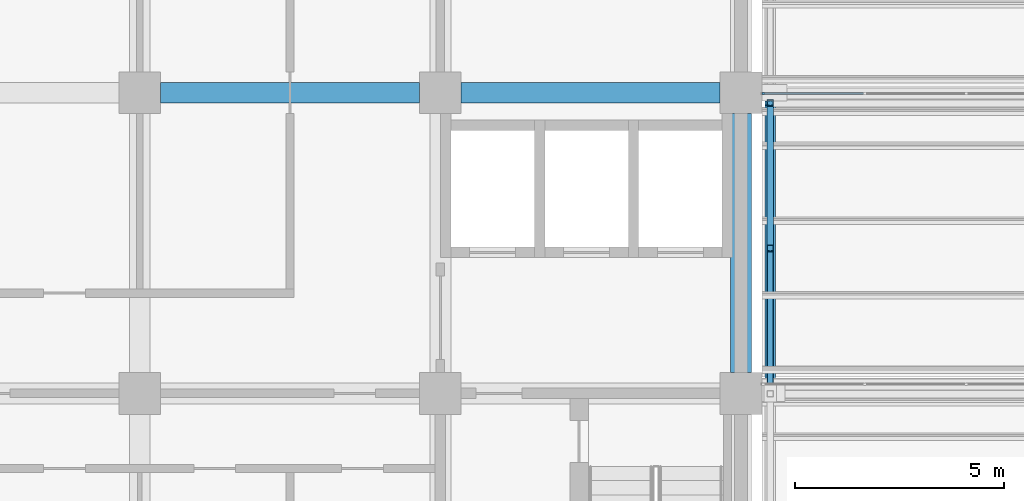
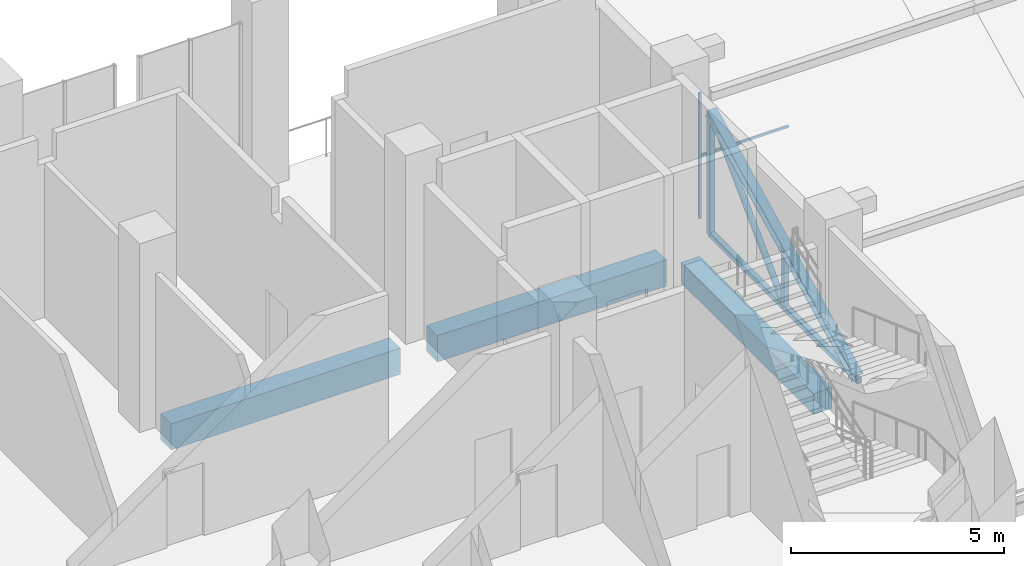
# One storey, part 3 of 83: 7 members, 3 beams, 1 element without a shape of its own.
"""IFC4 building model written with IfcOpenShell, lengths in metres."""

from ifc_helpers import new_model, si_unit, direction, frame, origin, origin_2d, place, context, subcontext, project, spatial, rectangle, hollow_rectangle, hollow_circle, i_section, extrude, material, material_profile, profile_set, type_object, element, aggregate, save


model = new_model("IFC4")

# Units and contexts
model_context = context("Model", 3, precision=1e-05, world=origin(), true_north=direction((0.0, 1.0)))
body_context = subcontext(model_context, "Body", "Model", "MODEL_VIEW")
ifc_project = project(units=[si_unit("LENGTHUNIT", "METRE"), si_unit("AREAUNIT", "SQUARE_METRE"), si_unit("VOLUMEUNIT", "CUBIC_METRE"), si_unit("PLANEANGLEUNIT", "RADIAN"), si_unit("MASSUNIT", "GRAM", prefix="KILO")], contexts=[model_context])

# Site, building, storey
site_placement = place(None, origin())
site = spatial("IfcSite", under=ifc_project, at=site_placement, CompositionType="ELEMENT")
building_placement = place(site_placement, origin())
building = spatial("IfcBuilding", under=site, at=building_placement, Name="Silangan Lancet Faculty of Sciences", CompositionType="ELEMENT")
storey_placement = place(building_placement, frame((0.0, 0.0, 11.39990234375)))
storey = spatial("IfcBuildingStorey", under=building, at=storey_placement, Name="L02", CompositionType="ELEMENT", Elevation=11.39990234375)

# Beams
ifc_material_1 = material(Name="Concrete C40/50", Category="concrete")
ifc_material_profile_1 = material_profile(ifc_material_1, rectangle(XDim=0.5, YDim=0.60009765625, at=origin_2d()), Name="RC 500x600")
ifc_profile_set_1 = profile_set([ifc_material_profile_1], Name="Concrete C40/50")
beam_type_1 = type_object("IfcBeamType", Name="BEAM RC 500x600", PredefinedType="BEAM", material=ifc_profile_set_1)
beam_1_placement = place(storey_placement, frame((28.800048828125, 7.699951171875, -0.5498046875), z_axis=(0.0, 1.0, 0.0), x_axis=(-1.0, 0.0, 0.0)))
element("IfcBeam", 1, at=beam_1_placement, inside=storey, type_object=beam_type_1, Name="BM-L02-5B-5C", PredefinedType="BEAM", context=body_context, shape_type="SweptSolid", body=[
    extrude(rectangle(XDim=0.5, YDim=0.60009765625, at=origin_2d()), origin(), (0.0, 0.0, 1.0), 6.199951171875),
])
ifc_material_2 = material(Name="Concrete C40/50", Category="concrete")
ifc_material_profile_2 = material_profile(ifc_material_2, rectangle(XDim=0.5, YDim=0.75, at=origin_2d()), Name="RC 500x750")
ifc_profile_set_2 = profile_set([ifc_material_profile_2], Name="Concrete C40/50")
beam_type_2 = type_object("IfcBeamType", Name="BEAM RC 500x750", PredefinedType="BEAM", material=ifc_profile_set_2)
beam_2_placement = place(storey_placement, frame((14.89990234375, 14.39990234375, -0.625), z_axis=(1.0, 0.0, 0.0), x_axis=(0.0, 1.0, 0.0)))
element("IfcBeam", 2, at=beam_2_placement, inside=storey, type_object=beam_type_2, Name="BM-L02-3C-4C", PredefinedType="BEAM", context=body_context, shape_type="SweptSolid", body=[
    extrude(rectangle(XDim=0.5, YDim=0.75, at=origin_2d()), origin(), (0.0, 0.0, 1.0), 6.2001953125),
])
beam_3_placement = place(storey_placement, frame((22.10009765625, 14.39990234375, -0.625), z_axis=(1.0, 0.0, 0.0), x_axis=(0.0, 1.0, 0.0)))
element("IfcBeam", 3, at=beam_3_placement, inside=storey, type_object=beam_type_2, Name="BM-L02-4C-5C", PredefinedType="BEAM", context=body_context, shape_type="SweptSolid", body=[
    extrude(rectangle(XDim=0.5, YDim=0.75, at=origin_2d()), origin(), (0.0, 0.0, 1.0), 6.199951171875),
])

# Curtain wall, members
ifc_material_3 = material(Name="Aluminium and laminated glass", Category="aluminium")
curtain_wall_type = type_object("IfcCurtainWallType", Name="North light glazing system", PredefinedType="NOTDEFINED", material=ifc_material_3)
curtain_wall_placement = place(storey_placement, origin())
curtain_wall = element("IfcCurtainWall", 4, at=curtain_wall_placement, inside=storey, type_object=curtain_wall_type, Name="North light glazing SAB-2-1", PredefinedType="NOTDEFINED")
ifc_material_4 = material(Name="Aluminium 6063-T6", Category="aluminium")
ifc_material_profile_3 = material_profile(ifc_material_4, rectangle(XDim=0.06005859375, YDim=0.050048828125, at=origin_2d()), Name="AL 60x50")
ifc_profile_set_3 = profile_set([ifc_material_profile_3], Name="Aluminium 6063-T6")
member_type_1 = type_object("IfcMemberType", Name="North light mullion 60x50", PredefinedType="MULLION", material=ifc_profile_set_3)
member_1_placement = place(storey_placement, frame((29.330078125, 14.37841796875, 0.4423828125), z_axis=(0.0, 0.0, 1.0), x_axis=(1.0, 0.0, 0.0)))
member_1 = element("IfcMember", 5, at=member_1_placement, type_object=member_type_1, Name="North light mullion SAB-2-1 1", PredefinedType="MULLION", context=body_context, shape_type="SweptSolid", body=[
    extrude(rectangle(XDim=0.06005859375, YDim=0.050048828125, at=origin_2d()), origin(), (0.0, 0.0, 1.0), 3.595947265625),
])
ifc_material_5 = material(Name="Aluminium 6063-T6", Category="aluminium")
ifc_material_profile_4 = material_profile(ifc_material_5, rectangle(XDim=0.050048828125, YDim=0.06005859375, at=origin_2d()), Name="AL 50x60")
ifc_profile_set_4 = profile_set([ifc_material_profile_4], Name="Aluminium 6063-T6")
member_type_2 = type_object("IfcMemberType", Name="North light transom 50x60", PredefinedType="USERDEFINED", material=ifc_profile_set_4)
member_2_placement = place(storey_placement, frame((29.300048828125, 14.37841796875, 2.240478515625), z_axis=(1.0, 0.0, 0.0), x_axis=(0.0, 1.0, 0.0)))
member_2 = element("IfcMember", 6, at=member_2_placement, type_object=member_type_2, Name="North light transom SAB-2-1 1", ObjectType="TRANSOM", PredefinedType="USERDEFINED", context=body_context, shape_type="SweptSolid", body=[
    extrude(rectangle(XDim=0.050048828125, YDim=0.06005859375, at=origin_2d()), origin(), (0.0, 0.0, 1.0), 2.431640625),
])
aggregate(curtain_wall, [member_1, member_2])

# Members
ifc_material_6 = material(Name="Steel STKR400", Category="steel")
ifc_material_profile_5 = material_profile(ifc_material_6, hollow_rectangle(XDim=0.14990234375, YDim=0.14990234375, WallThickness=0.009033203125, InnerFilletRadius=0.009033203125, OuterFilletRadius=0.01806640625, at=origin_2d()), Name="SHS 150x150x9.0")
ifc_profile_set_5 = profile_set([ifc_material_profile_5], Name="Steel STKR400")
member_type_3 = type_object("IfcMemberType", Name="Truss bottom chord SHS 150x150x9.0", PredefinedType="CHORD", material=ifc_profile_set_5)
member_3_placement = place(storey_placement, frame((29.5, 7.191650390625, 0.09521484375), z_axis=(0.0, 1.0, 0.0), x_axis=(-1.0, 0.0, 0.0)))
element("IfcMember", 7, at=member_3_placement, inside=storey, type_object=member_type_3, Name="Truss 1 bottom chord 2", PredefinedType="CHORD", context=body_context, shape_type="SweptSolid", body=[
    extrude(hollow_rectangle(XDim=0.14990234375, YDim=0.14990234375, WallThickness=0.009033203125, InnerFilletRadius=0.009033203125, OuterFilletRadius=0.01806640625, at=origin_2d()), origin(), (0.0, 0.0, 1.0), 6.961669921875),
])
ifc_material_7 = material(Name="Steel STK400", Category="steel")
ifc_material_profile_6 = material_profile(ifc_material_7, hollow_circle(Radius=0.08251953125, WallThickness=0.0048828125, at=origin_2d()), Name="CHS 165.2x5.0")
ifc_profile_set_6 = profile_set([ifc_material_profile_6], Name="Steel STK400")
member_type_4 = type_object("IfcMemberType", Name="Truss diagonal CHS 165.2x5.0", PredefinedType="BRACE", material=ifc_profile_set_6)
member_4_placement = place(storey_placement, frame((29.5, 10.672607421875, 0.09521484375), z_axis=(0.0, 0.707106781187, 0.707106781187), x_axis=(-1.0, 0.0, 0.0)))
element("IfcMember", 8, at=member_4_placement, inside=storey, type_object=member_type_4, Name="Truss 1 diagonal 2", PredefinedType="BRACE", context=body_context, shape_type="SweptSolid", body=[
    extrude(hollow_circle(Radius=0.08251953125, WallThickness=0.0048828125, at=origin_2d()), origin(), (0.0, 0.0, 1.0), 4.92236328125),
])
ifc_material_8 = material(Name="Steel STKR400", Category="steel")
ifc_material_profile_7 = material_profile(ifc_material_8, hollow_rectangle(XDim=0.14990234375, YDim=0.14990234375, WallThickness=0.006103515625, InnerFilletRadius=0.006103515625, OuterFilletRadius=0.011962890625, at=origin_2d()), Name="SHS 150x150x6.0")
ifc_profile_set_7 = profile_set([ifc_material_profile_7], Name="Steel STKR400")
member_type_5 = type_object("IfcMemberType", Name="Truss post SHS 150x150x6.0", PredefinedType="POST", material=ifc_profile_set_7)
member_5_placement = place(storey_placement, frame((29.5, 14.1533203125, 0.09521484375), z_axis=(0.0, 0.0, 1.0), x_axis=(1.0, 0.0, 0.0)))
element("IfcMember", 9, at=member_5_placement, inside=storey, type_object=member_type_5, Name="Truss 1 riser post 2", PredefinedType="POST", context=body_context, shape_type="SweptSolid", body=[
    extrude(hollow_rectangle(XDim=0.14990234375, YDim=0.14990234375, WallThickness=0.006103515625, InnerFilletRadius=0.006103515625, OuterFilletRadius=0.011962890625, at=origin_2d()), origin(), (0.0, 0.0, 1.0), 3.480712890625),
])
member_6_placement = place(storey_placement, frame((29.5, 10.672607421875, 0.09521484375), z_axis=(0.0, 0.0, 1.0), x_axis=(1.0, 0.0, 0.0)))
element("IfcMember", 10, at=member_6_placement, inside=storey, type_object=member_type_5, Name="Truss 1 mid post 2", PredefinedType="POST", context=body_context, shape_type="SweptSolid", body=[
    extrude(hollow_rectangle(XDim=0.14990234375, YDim=0.14990234375, WallThickness=0.006103515625, InnerFilletRadius=0.006103515625, OuterFilletRadius=0.011962890625, at=origin_2d()), origin(), (0.0, 0.0, 1.0), 1.740234375),
])
ifc_material_9 = material(Name="Steel SS400", Category="steel")
ifc_material_profile_8 = material_profile(ifc_material_9, i_section(OverallWidth=0.25, OverallDepth=0.25, WebThickness=0.009033203125, FlangeThickness=0.013916015625, FilletRadius=0.01611328125, at=origin_2d()), Name="H 250x250x9x14")
ifc_profile_set_8 = profile_set([ifc_material_profile_8], Name="Steel SS400")
member_type_6 = type_object("IfcMemberType", Name="Truss top chord H 250x250x9x14", PredefinedType="CHORD", material=ifc_profile_set_8)
member_7_placement = place(storey_placement, frame((29.5, 7.272216796875, 0.13525390625), z_axis=(0.0, 0.894420844124, 0.447226289027), x_axis=(-1.0, 0.0, 0.0)))
element("IfcMember", 11, at=member_7_placement, inside=storey, type_object=member_type_6, Name="Truss 1 top chord 2", PredefinedType="CHORD", context=body_context, shape_type="SweptSolid", body=[
    extrude(i_section(OverallWidth=0.25, OverallDepth=0.25, WebThickness=0.009033203125, FlangeThickness=0.013916015625, FilletRadius=0.01611328125, at=origin_2d()), origin(), (0.0, 0.0, 1.0), 7.693359375),
])

save(model, "model.ifc")
